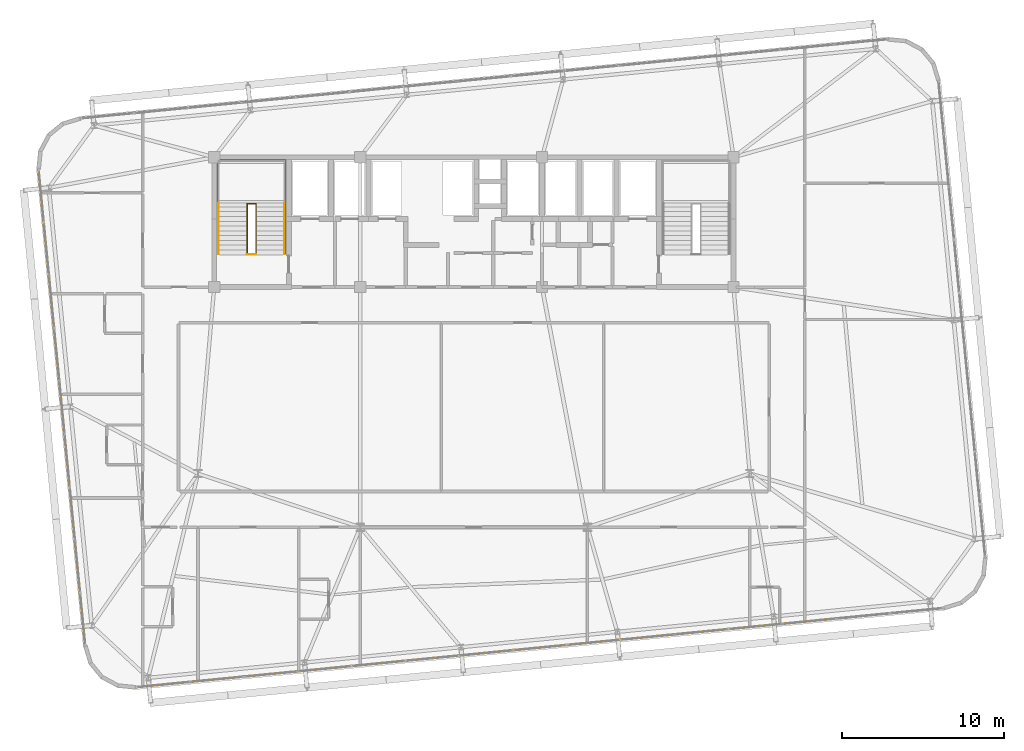
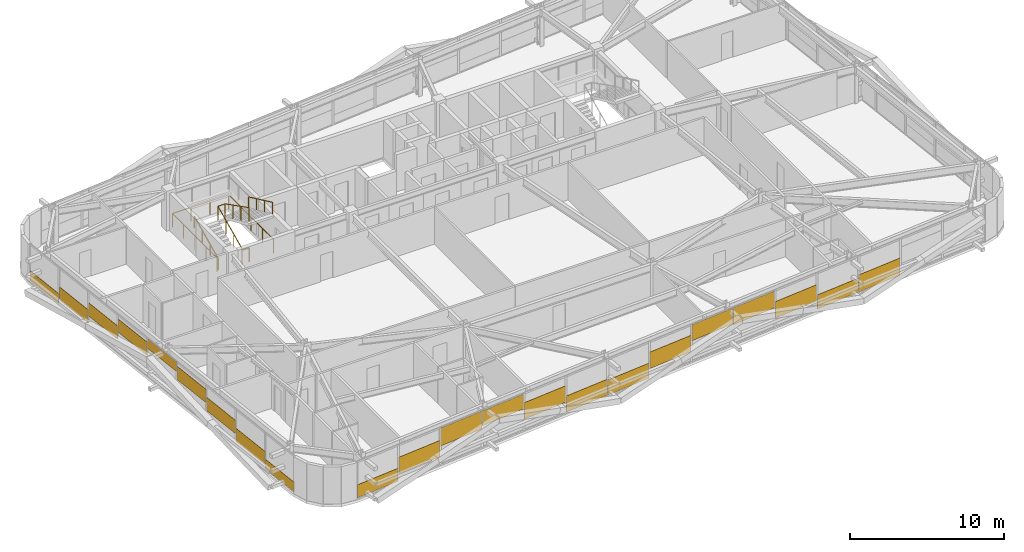
# One storey, part 51 of 53: 22 coverings, 5 railings.
"""IFC4 building model written with IfcOpenShell, lengths in metres."""

from ifc_helpers import new_model, si_unit, direction, frame, origin, origin_2d, place, context, subcontext, project, spatial, rectangle, extrude, source, transform, mapped, material, layer, layer_set, type_object, element, save


model = new_model("IFC4")

# Units and contexts
model_context = context("Model", 3, precision=1e-05, world=origin(), true_north=direction((0.0, 1.0)))
body_context = subcontext(model_context, "Body", "Model", "MODEL_VIEW")
ifc_project = project(units=[si_unit("LENGTHUNIT", "METRE"), si_unit("AREAUNIT", "SQUARE_METRE"), si_unit("VOLUMEUNIT", "CUBIC_METRE"), si_unit("PLANEANGLEUNIT", "RADIAN"), si_unit("MASSUNIT", "GRAM", prefix="KILO")], contexts=[model_context])

# Site, building, storey
site_placement = place(None, origin())
site = spatial("IfcSite", under=ifc_project, at=site_placement, CompositionType="ELEMENT")
building_placement = place(site_placement, origin())
building = spatial("IfcBuilding", under=site, at=building_placement, Name="Taldren Reach Tower", CompositionType="ELEMENT")
storey_placement = place(building_placement, frame((0.0, 0.0, 80.85009765625)))
storey = spatial("IfcBuildingStorey", under=building, at=storey_placement, Name="L24", CompositionType="ELEMENT", Elevation=80.85009765625)

# Railings
ifc_material_1 = material(Name="Steel Gr 350 (C350L0)", Category="steel")
ifc_layer_1 = layer(ifc_material_1, 0.050048828125)
ifc_layer_set_1 = layer_set([ifc_layer_1], Name="Steel Gr 350 (C350L0)")
railing_type_1 = type_object("IfcRailingType", Name="RL-STAIR-GR", PredefinedType="GUARDRAIL", material=ifc_layer_set_1)
railing_1_placement = place(storey_placement, frame((21.030029296875, 26.050048828125, 0.131103515625)))
element("IfcRailing", 1, at=railing_1_placement, inside=storey, type_object=railing_type_1, Name="Stairwell inner guard ST1-L24", PredefinedType="GUARDRAIL", context=body_context, shape_type="SweptSolid", body=[
    extrude(rectangle(XDim=0.047852, YDim=0.047852, at=origin_2d()), frame((0.0, 0.0, 1.09619140625), z_axis=(0.0, 0.905710134349, 0.423897573167), x_axis=(-1.0, 0.0, 0.0)), (0.0, 0.0, 1.0), 3.406005859375),
    extrude(rectangle(XDim=0.047852, YDim=0.047852, at=origin_2d()), frame((0.0, 3.0849609375, 2.5400390625), z_axis=(1.0, 0.0, 0.0), x_axis=(0.0, 1.0, 0.0)), (0.0, 0.0, 1.0), 0.5400390625),
    extrude(rectangle(XDim=0.047852, YDim=0.047852, at=origin_2d()), frame((0.5400390625, 3.0849609375, 2.5400390625), z_axis=(0.0, -0.890645957773, 0.45469745755), x_axis=(1.0, 0.0, 0.0)), (0.0, 0.0, 1.0), 3.463623046875),
    extrude(rectangle(XDim=0.041992, YDim=0.041992, at=origin_2d()), origin(), (0.0, 0.0, 1.0), 1.072021484375),
    extrude(rectangle(XDim=0.041992, YDim=0.041992, at=origin_2d()), frame((0.0, 1.0283203125, 0.481201171875)), (0.0, 0.0, 1.0), 1.072021484375),
    extrude(rectangle(XDim=0.041992, YDim=0.041992, at=origin_2d()), frame((0.0, 2.056640625, 0.962646484375)), (0.0, 0.0, 1.0), 1.072021484375),
    extrude(rectangle(XDim=0.041992, YDim=0.041992, at=origin_2d()), frame((0.0, 3.0849609375, 1.44384765625)), (0.0, 0.0, 1.0), 1.072021484375),
    extrude(rectangle(XDim=0.041992, YDim=0.041992, at=origin_2d()), frame((0.5400390625, 3.0849609375, 1.44384765625)), (0.0, 0.0, 1.0), 1.072021484375),
    extrude(rectangle(XDim=0.041992, YDim=0.041992, at=origin_2d()), frame((0.5400390625, 2.056640625, 1.96875)), (0.0, 0.0, 1.0), 1.072021484375),
    extrude(rectangle(XDim=0.041992, YDim=0.041992, at=origin_2d()), frame((0.5400390625, 1.0283203125, 2.493896484375)), (0.0, 0.0, 1.0), 1.072021484375),
    extrude(rectangle(XDim=0.041992, YDim=0.041992, at=origin_2d()), frame((0.5400390625, 0.0, 3.018798828125)), (0.0, 0.0, 1.0), 1.072021484375),
])
railing_2_placement = place(storey_placement, frame((21.030029296875, 26.010009765625, 0.0)))
element("IfcRailing", 2, at=railing_2_placement, inside=storey, type_object=railing_type_1, Name="Stairwell landing slot guard ST1-L24", PredefinedType="GUARDRAIL", context=body_context, shape_type="SweptSolid", body=[
    extrude(rectangle(XDim=0.047852, YDim=0.047852, at=origin_2d()), frame((0.0, 0.0, 1.09619140625), z_axis=(1.0, 0.0, 0.0), x_axis=(0.0, 1.0, 0.0)), (0.0, 0.0, 1.0), 0.5400390625),
    extrude(rectangle(XDim=0.041992, YDim=0.041992, at=origin_2d()), origin(), (0.0, 0.0, 1.0), 1.072021484375),
    extrude(rectangle(XDim=0.041992, YDim=0.041992, at=origin_2d()), frame((0.5400390625, 0.0, 0.0)), (0.0, 0.0, 1.0), 1.072021484375),
])
railing_3_placement = place(storey_placement, frame((19.18994140625, 26.050048828125, 0.0)))
element("IfcRailing", 3, at=railing_3_placement, inside=storey, type_object=railing_type_1, Name="Stairwell floor opening guard ST1-L24", PredefinedType="GUARDRAIL", context=body_context, shape_type="SweptSolid", body=[
    extrude(rectangle(XDim=0.047852, YDim=0.047852, at=origin_2d()), frame((0.0, 0.0, 1.09619140625), z_axis=(0.0, 1.0, 0.0), x_axis=(-1.0, 0.0, 0.0)), (0.0, 0.0, 1.0), 5.800048828125),
    extrude(rectangle(XDim=0.047852, YDim=0.047852, at=origin_2d()), frame((0.0, 5.800048828125, 1.09619140625), z_axis=(1.0, 0.0, 0.0), x_axis=(0.0, 1.0, 0.0)), (0.0, 0.0, 1.0), 4.219970703125),
    extrude(rectangle(XDim=0.047852, YDim=0.047852, at=origin_2d()), frame((4.219970703125, 5.800048828125, 1.09619140625), z_axis=(0.0, -1.0, 0.0), x_axis=(1.0, 0.0, 0.0)), (0.0, 0.0, 1.0), 5.800048828125),
    extrude(rectangle(XDim=0.041992, YDim=0.041992, at=origin_2d()), origin(), (0.0, 0.0, 1.0), 1.072021484375),
    extrude(rectangle(XDim=0.041992, YDim=0.041992, at=origin_2d()), frame((0.0, 1.449951171875, 0.0)), (0.0, 0.0, 1.0), 1.072021484375),
    extrude(rectangle(XDim=0.041992, YDim=0.041992, at=origin_2d()), frame((0.0, 2.89990234375, 0.0)), (0.0, 0.0, 1.0), 1.072021484375),
    extrude(rectangle(XDim=0.041992, YDim=0.041992, at=origin_2d()), frame((0.0, 4.35009765625, 0.0)), (0.0, 0.0, 1.0), 1.072021484375),
    extrude(rectangle(XDim=0.041992, YDim=0.041992, at=origin_2d()), frame((0.0, 5.800048828125, 0.0)), (0.0, 0.0, 1.0), 1.072021484375),
    extrude(rectangle(XDim=0.041992, YDim=0.041992, at=origin_2d()), frame((1.40673828125, 5.800048828125, 0.0)), (0.0, 0.0, 1.0), 1.072021484375),
    extrude(rectangle(XDim=0.041992, YDim=0.041992, at=origin_2d()), frame((2.813232421875, 5.800048828125, 0.0)), (0.0, 0.0, 1.0), 1.072021484375),
    extrude(rectangle(XDim=0.041992, YDim=0.041992, at=origin_2d()), frame((4.219970703125, 5.800048828125, 0.0)), (0.0, 0.0, 1.0), 1.072021484375),
    extrude(rectangle(XDim=0.041992, YDim=0.041992, at=origin_2d()), frame((4.219970703125, 4.35009765625, 0.0)), (0.0, 0.0, 1.0), 1.072021484375),
    extrude(rectangle(XDim=0.041992, YDim=0.041992, at=origin_2d()), frame((4.219970703125, 2.89990234375, 0.0)), (0.0, 0.0, 1.0), 1.072021484375),
    extrude(rectangle(XDim=0.041992, YDim=0.041992, at=origin_2d()), frame((4.219970703125, 1.449951171875, 0.0)), (0.0, 0.0, 1.0), 1.072021484375),
    extrude(rectangle(XDim=0.041992, YDim=0.041992, at=origin_2d()), frame((4.219970703125, 0.0, 0.0)), (0.0, 0.0, 1.0), 1.072021484375),
])
ifc_material_2 = material(Name="Stainless Steel Gr 316", Category="steel")
ifc_layer_2 = layer(ifc_material_2, 0.048095703125)
ifc_layer_set_2 = layer_set([ifc_layer_2], Name="Stainless Steel Gr 316")
railing_type_2 = type_object("IfcRailingType", Name="RL-STAIR-HR", PredefinedType="HANDRAIL", material=ifc_layer_set_2)
railing_4_placement = place(storey_placement, frame((19.27001953125, 26.050048828125, 0.131103515625)))
element("IfcRailing", 4, at=railing_4_placement, inside=storey, type_object=railing_type_2, Name="Stair flight handrail ST1-L24-1", PredefinedType="HANDRAIL", context=body_context, shape_type="SweptSolid", body=[
    extrude(rectangle(XDim=0.047852, YDim=0.047852, at=origin_2d()), frame((0.0, 0.0, 0.89599609375), z_axis=(0.0, 0.905710134349, 0.423897573167), x_axis=(-1.0, 0.0, 0.0)), (0.0, 0.0, 1.0), 3.406005859375),
    extrude(rectangle(XDim=0.041992, YDim=0.041992, at=origin_2d()), origin(), (0.0, 0.0, 1.0), 0.871826171875),
    extrude(rectangle(XDim=0.041992, YDim=0.041992, at=origin_2d()), frame((0.0, 1.0283203125, 0.481201171875)), (0.0, 0.0, 1.0), 0.871826171875),
    extrude(rectangle(XDim=0.041992, YDim=0.041992, at=origin_2d()), frame((0.0, 2.056640625, 0.962646484375)), (0.0, 0.0, 1.0), 0.871826171875),
    extrude(rectangle(XDim=0.041992, YDim=0.041992, at=origin_2d()), frame((0.0, 3.0849609375, 1.44384765625)), (0.0, 0.0, 1.0), 0.871826171875),
])
railing_5_placement = place(storey_placement, frame((23.330078125, 29.135009765625, 1.7060546875)))
element("IfcRailing", 5, at=railing_5_placement, inside=storey, type_object=railing_type_2, Name="Stair flight handrail ST1-L24-2", PredefinedType="HANDRAIL", context=body_context, shape_type="SweptSolid", body=[
    extrude(rectangle(XDim=0.047852, YDim=0.047852, at=origin_2d()), frame((0.0, 0.0, 0.89599609375), z_axis=(0.0, -0.905710134349, 0.423897573167), x_axis=(1.0, 0.0, 0.0)), (0.0, 0.0, 1.0), 3.406005859375),
    extrude(rectangle(XDim=0.041992, YDim=0.041992, at=origin_2d()), origin(), (0.0, 0.0, 1.0), 0.871826171875),
    extrude(rectangle(XDim=0.041992, YDim=0.041992, at=origin_2d()), frame((0.0, -1.0283203125, 0.481201171875)), (0.0, 0.0, 1.0), 0.871826171875),
    extrude(rectangle(XDim=0.041992, YDim=0.041992, at=origin_2d()), frame((0.0, -2.056640625, 0.962646484375)), (0.0, 0.0, 1.0), 0.871826171875),
    extrude(rectangle(XDim=0.041992, YDim=0.041992, at=origin_2d()), frame((0.0, -3.0849609375, 1.44384765625)), (0.0, 0.0, 1.0), 0.871826171875),
])

# Coverings
ifc_material_3 = material(Name="Pale Champagne Fluoropolymer Aluminium Spandrel Cladding", Category="aluminium")
ifc_layer_3 = layer(ifc_material_3, 0.0439453125)
ifc_layer_set_3 = layer_set([ifc_layer_3], Name="Pale Champagne Fluoropolymer Aluminium Spandrel Cladding")
covering_type = type_object("IfcCoveringType", Name="CV-CLAD-044", PredefinedType="CLADDING", material=ifc_layer_set_3)
shared_shape_1 = source(origin(), body_context, "Body", "SweptSolid", [
    extrude(rectangle(XDim=3.268310546875, YDim=0.0439453125, at=origin_2d()), origin(), (0.0, 0.0, 1.0), 1.3046875),
])
for number, where, z_axis, x_axis, name in (
    (6, (19.163818359375, -0.177734375, 0.621826171875), (0.0, 0.0, 1.0), (0.995227390247, 0.097582999046, 0.0), "Diagrid closure cladding strip CW-3 panel 2.1 1"),
    (7, (29.1162109375, 0.798095703125, 0.86279296875), (0.0, 0.0, 1.0), (0.995227390247, 0.097582999046, 0.0), "Diagrid closure cladding strip CW-3 panel 5.1 1"),
    (8, (39.068359375, 1.77392578125, 0.782470703125), (0.0, 0.0, 1.0), (0.995227390247, 0.097582999046, 0.0), "Diagrid closure cladding strip CW-3 panel 8.1 1"),
    (9, (49.020751953125, 2.749755859375, 0.7021484375), (0.0, 0.0, 1.0), (0.995227390247, 0.097582999046, 0.0), "Diagrid closure cladding strip CW-3 panel 11.1 1"),
):
    element("IfcCovering", number, at=place(storey_placement, frame(where, z_axis=z_axis, x_axis=x_axis)), inside=storey, type_object=covering_type, Name=name, PredefinedType="CLADDING", context=body_context, shape_type="MappedRepresentation", body=[
        mapped(shared_shape_1, transform((0.0, 0.0, 0.0), scale=1.0)),
    ])
shared_shape_2 = source(origin(), body_context, "Body", "SweptSolid", [
    extrude(rectangle(XDim=3.268310546875, YDim=0.0439453125, at=origin_2d()), origin(), (0.0, 0.0, 1.0), 1.356201171875),
])
covering_1_placement = place(storey_placement, frame((55.655517578125, 3.400390625, 0.0546875), z_axis=(0.0, 0.0, 1.0), x_axis=(0.995227390247, 0.097582999046, 0.0)))
element("IfcCovering", 10, at=covering_1_placement, inside=storey, type_object=covering_type, Name="Diagrid closure cladding strip CW-3 panel 13.1 1", PredefinedType="CLADDING", context=body_context, shape_type="MappedRepresentation", body=[
    mapped(shared_shape_2, transform((0.0, 0.0, 0.0), scale=1.0)),
])
shared_shape_3 = source(origin(), body_context, "Body", "SweptSolid", [
    extrude(rectangle(XDim=3.268310546875, YDim=0.0439453125, at=origin_2d()), origin(), (0.0, 0.0, 1.0), 1.115234375),
])
covering_2_placement = place(storey_placement, frame((52.338134765625, 3.0751953125, 0.054931640625), z_axis=(0.0, 0.0, 1.0), x_axis=(0.995227390247, 0.097582999046, 0.0)))
element("IfcCovering", 11, at=covering_2_placement, inside=storey, type_object=covering_type, Name="Diagrid closure cladding strip CW-3 panel 12.1 1", PredefinedType="CLADDING", context=body_context, shape_type="MappedRepresentation", body=[
    mapped(shared_shape_3, transform((0.0, 0.0, 0.0), scale=1.0)),
])
shared_shape_4 = source(origin(), body_context, "Body", "SweptSolid", [
    extrude(rectangle(XDim=3.268310546875, YDim=0.0439453125, at=origin_2d()), origin(), (0.0, 0.0, 1.0), 1.3359375),
])
covering_3_placement = place(storey_placement, frame((45.703369140625, 2.424560546875, 1.5390625), z_axis=(0.0, 0.0, 1.0), x_axis=(0.995227390247, 0.097582999046, 0.0)))
element("IfcCovering", 12, at=covering_3_placement, inside=storey, type_object=covering_type, Name="Diagrid closure cladding strip CW-3 panel 10.1 1", PredefinedType="CLADDING", context=body_context, shape_type="MappedRepresentation", body=[
    mapped(shared_shape_4, transform((0.0, 0.0, 0.0), scale=1.0)),
])
shared_shape_5 = source(origin(), body_context, "Body", "SweptSolid", [
    extrude(rectangle(XDim=3.268310546875, YDim=0.0439453125, at=origin_2d()), origin(), (0.0, 0.0, 1.0), 1.255615234375),
])
covering_4_placement = place(storey_placement, frame((42.3857421875, 2.099365234375, 1.619140625), z_axis=(0.0, 0.0, 1.0), x_axis=(0.995227390247, 0.097582999046, 0.0)))
element("IfcCovering", 13, at=covering_4_placement, inside=storey, type_object=covering_type, Name="Diagrid closure cladding strip CW-3 panel 9.1 1", PredefinedType="CLADDING", context=body_context, shape_type="MappedRepresentation", body=[
    mapped(shared_shape_5, transform((0.0, 0.0, 0.0), scale=1.0)),
])
shared_shape_6 = source(origin(), body_context, "Body", "SweptSolid", [
    extrude(rectangle(XDim=3.268310546875, YDim=0.0439453125, at=origin_2d()), origin(), (0.0, 0.0, 1.0), 1.195556640625),
])
covering_5_placement = place(storey_placement, frame((35.7509765625, 1.44873046875, 0.0546875), z_axis=(0.0, 0.0, 1.0), x_axis=(0.995227390247, 0.097582999046, 0.0)))
element("IfcCovering", 14, at=covering_5_placement, inside=storey, type_object=covering_type, Name="Diagrid closure cladding strip CW-3 panel 7.1 1", PredefinedType="CLADDING", context=body_context, shape_type="MappedRepresentation", body=[
    mapped(shared_shape_6, transform((0.0, 0.0, 0.0), scale=1.0)),
])
shared_shape_7 = source(origin(), body_context, "Body", "SweptSolid", [
    extrude(rectangle(XDim=3.268310546875, YDim=0.0439453125, at=origin_2d()), origin(), (0.0, 0.0, 1.0), 1.27587890625),
])
covering_6_placement = place(storey_placement, frame((32.43359375, 1.12353515625, 0.054931640625), z_axis=(0.0, 0.0, 1.0), x_axis=(0.995227390247, 0.097582999046, 0.0)))
element("IfcCovering", 15, at=covering_6_placement, inside=storey, type_object=covering_type, Name="Diagrid closure cladding strip CW-3 panel 6.1 1", PredefinedType="CLADDING", context=body_context, shape_type="MappedRepresentation", body=[
    mapped(shared_shape_7, transform((0.0, 0.0, 0.0), scale=1.0)),
])
shared_shape_8 = source(origin(), body_context, "Body", "SweptSolid", [
    extrude(rectangle(XDim=3.268310546875, YDim=0.0439453125, at=origin_2d()), origin(), (0.0, 0.0, 1.0), 1.17529296875),
])
covering_7_placement = place(storey_placement, frame((25.798828125, 0.472900390625, 1.69970703125), z_axis=(0.0, 0.0, 1.0), x_axis=(0.995227390247, 0.097582999046, 0.0)))
element("IfcCovering", 16, at=covering_7_placement, inside=storey, type_object=covering_type, Name="Diagrid closure cladding strip CW-3 panel 4.1 1", PredefinedType="CLADDING", context=body_context, shape_type="MappedRepresentation", body=[
    mapped(shared_shape_8, transform((0.0, 0.0, 0.0), scale=1.0)),
])
shared_shape_9 = source(origin(), body_context, "Body", "SweptSolid", [
    extrude(rectangle(XDim=3.268310546875, YDim=0.0439453125, at=origin_2d()), origin(), (0.0, 0.0, 1.0), 1.416259765625),
])
covering_8_placement = place(storey_placement, frame((22.481201171875, 0.147705078125, 1.45849609375), z_axis=(0.0, 0.0, 1.0), x_axis=(0.995227390247, 0.097582999046, 0.0)))
element("IfcCovering", 17, at=covering_8_placement, inside=storey, type_object=covering_type, Name="Diagrid closure cladding strip CW-3 panel 3.1 1", PredefinedType="CLADDING", context=body_context, shape_type="MappedRepresentation", body=[
    mapped(shared_shape_9, transform((0.0, 0.0, 0.0), scale=1.0)),
])
shared_shape_10 = source(origin(), body_context, "Body", "SweptSolid", [
    extrude(rectangle(XDim=3.23583984375, YDim=0.0439453125, at=origin_2d()), origin(), (0.0, 0.0, 1.0), 1.034912109375),
])
covering_9_placement = place(storey_placement, frame((15.862548828125, -0.501220703125, 0.0546875), z_axis=(0.0, 0.0, 1.0), x_axis=(0.995227390247, 0.097582999046, 0.0)))
element("IfcCovering", 18, at=covering_9_placement, inside=storey, type_object=covering_type, Name="Diagrid closure cladding strip CW-3 panel 1.1 1", PredefinedType="CLADDING", context=body_context, shape_type="MappedRepresentation", body=[
    mapped(shared_shape_10, transform((0.0, 0.0, 0.0), scale=1.0)),
])
shared_shape_11 = source(origin(), body_context, "Body", "SweptSolid", [
    extrude(rectangle(XDim=3.212890625, YDim=0.0439453125, at=origin_2d()), origin(), (0.0, 0.0, 1.0), 1.053466796875),
])
for number, where, z_axis, x_axis, name in (
    (19, (8.663330078125, 26.36767578125, 0.35986328125), (0.0, 0.0, 1.0), (0.09758274098, -0.99522741555, 0.0), "Diagrid closure cladding strip CW-3 panel 2.1 1"),
    (20, (8.983154296875, 23.105712890625, 0.94775390625), (0.0, 0.0, 1.0), (0.09758274098, -0.99522741555, 0.0), "Diagrid closure cladding strip CW-3 panel 3.1 1"),
    (21, (9.30322265625, 19.843505859375, 1.53515625), (0.0, 0.0, 1.0), (0.09758274098, -0.99522741555, 0.0), "Diagrid closure cladding strip CW-3 panel 4.1 1"),
    (22, (9.94287109375, 13.319091796875, 1.53515625), (0.0, 0.0, 1.0), (0.09758274098, -0.99522741555, 0.0), "Diagrid closure cladding strip CW-3 panel 6.1 1"),
    (23, (10.2626953125, 10.05712890625, 0.94775390625), (0.0, 0.0, 1.0), (0.09758274098, -0.99522741555, 0.0), "Diagrid closure cladding strip CW-3 panel 7.1 1"),
    (24, (10.58251953125, 6.794921875, 0.35986328125), (0.0, 0.0, 1.0), (0.09758274098, -0.99522741555, 0.0), "Diagrid closure cladding strip CW-3 panel 8.1 1"),
):
    element("IfcCovering", number, at=place(storey_placement, frame(where, z_axis=z_axis, x_axis=x_axis)), inside=storey, type_object=covering_type, Name=name, PredefinedType="CLADDING", context=body_context, shape_type="MappedRepresentation", body=[
        mapped(shared_shape_11, transform((0.0, 0.0, 0.0), scale=1.0)),
    ])
shared_shape_12 = source(origin(), body_context, "Body", "SweptSolid", [
    extrude(rectangle(XDim=3.18017578125, YDim=0.0439453125, at=origin_2d()), origin(), (0.0, 0.0, 1.0), 0.7705078125),
])
for number, where, z_axis, x_axis, name in (
    (25, (8.34521484375, 29.61376953125, 0.054931640625), (0.0, 0.0, 1.0), (0.09758274098, -0.99522741555, 0.0), "Diagrid closure cladding strip CW-3 panel 1.1 1"),
    (26, (10.90087890625, 3.549072265625, 0.054931640625), (0.0, 0.0, 1.0), (0.09758274098, -0.99522741555, 0.0), "Diagrid closure cladding strip CW-3 panel 9.1 1"),
):
    element("IfcCovering", number, at=place(storey_placement, frame(where, z_axis=z_axis, x_axis=x_axis)), inside=storey, type_object=covering_type, Name=name, PredefinedType="CLADDING", context=body_context, shape_type="MappedRepresentation", body=[
        mapped(shared_shape_12, transform((0.0, 0.0, 0.0), scale=1.0)),
    ])
shared_shape_13 = source(origin(), body_context, "Body", "SweptSolid", [
    extrude(rectangle(XDim=3.212890625, YDim=0.0439453125, at=origin_2d()), origin(), (0.0, 0.0, 1.0), 0.751708984375),
])
covering_10_placement = place(storey_placement, frame((9.623046875, 16.581298828125, 2.123046875), z_axis=(0.0, 0.0, 1.0), x_axis=(0.09758274098, -0.99522741555, 0.0)))
element("IfcCovering", 27, at=covering_10_placement, inside=storey, type_object=covering_type, Name="Diagrid closure cladding strip CW-3 panel 5.1 1", PredefinedType="CLADDING", context=body_context, shape_type="MappedRepresentation", body=[
    mapped(shared_shape_13, transform((0.0, 0.0, 0.0), scale=1.0)),
])

save(model, "model.ifc")
